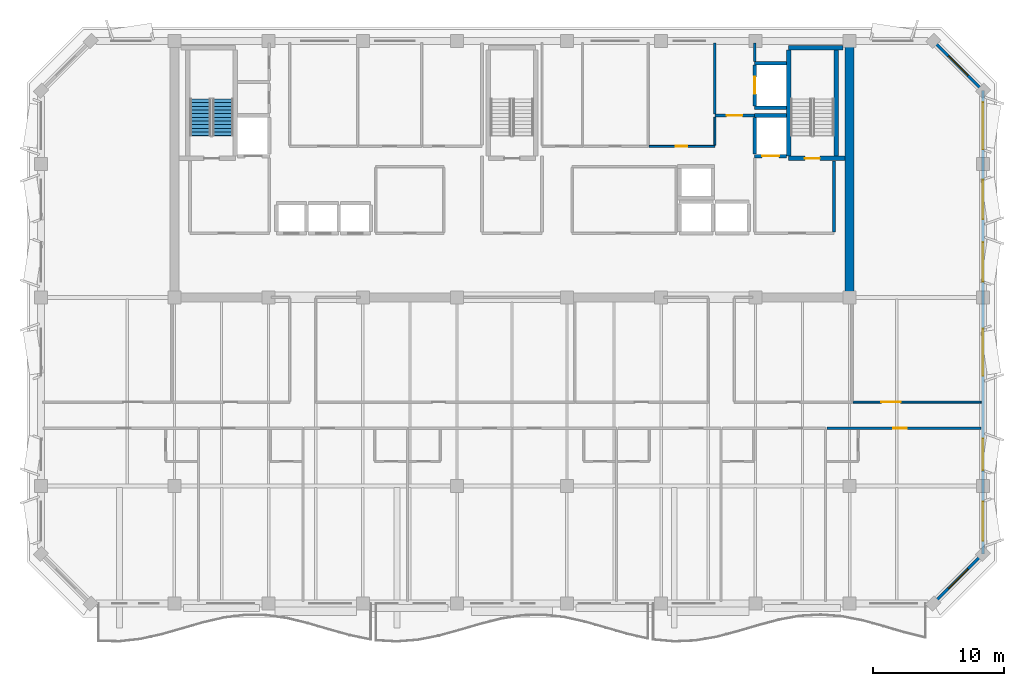
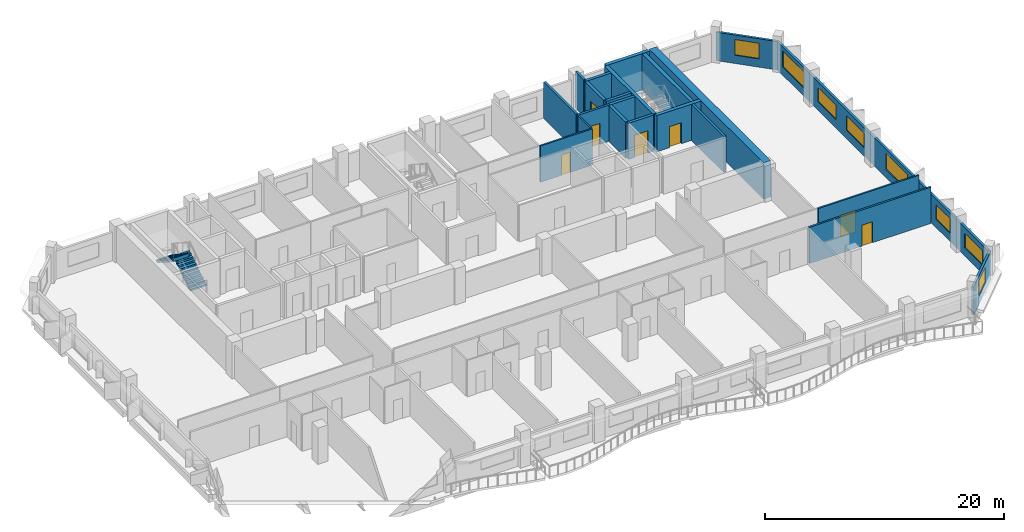
# One storey, part 7 of 11: 22 walls, 8 windows, 7 doors, 2 stair flights, 15 openings, 1 element without a shape of its own.
"""IFC4 building model written with IfcOpenShell, lengths in metres."""

from ifc_helpers import new_model, si_unit, direction, frame, frame_2d, origin, place, context, subcontext, project, spatial, polyline, rectangle, outline, extrude, material, layer, layer_set, type_object, element, fill, aggregate, save


model = new_model("IFC4")

# Units and contexts
model_context = context("Model", 3, precision=1e-05, world=origin(), true_north=direction((0.0, 1.0)))
body_context = subcontext(model_context, "Body", "Model", "MODEL_VIEW")
ifc_project = project(units=[si_unit("LENGTHUNIT", "METRE"), si_unit("AREAUNIT", "SQUARE_METRE"), si_unit("VOLUMEUNIT", "CUBIC_METRE"), si_unit("PLANEANGLEUNIT", "RADIAN"), si_unit("MASSUNIT", "GRAM", prefix="KILO")], contexts=[model_context])

# Site, building, storey
site_placement = place(None, origin())
site = spatial("IfcSite", under=ifc_project, at=site_placement, CompositionType="ELEMENT")
building_placement = place(site_placement, origin())
building = spatial("IfcBuilding", under=site, at=building_placement, Name="Kaelvorn Grand Hotel", CompositionType="ELEMENT")
storey_placement = place(building_placement, frame((0.0, 0.0, 252.85009765625)))
storey = spatial("IfcBuildingStorey", under=building, at=storey_placement, Name="L62", CompositionType="ELEMENT", Elevation=252.85009765625)

# Wall
ifc_material_1 = material(Name="Concrete C50/60", Category="concrete")
ifc_layer_1 = layer(ifc_material_1, 0.699951171875)
ifc_layer_set_1 = layer_set([ifc_layer_1], Name="Concrete C50/60")
wall_type_1 = type_object("IfcWallType", Name="WL-CORE-700-C50", PredefinedType="SHEAR", material=ifc_layer_set_1)
wall_1_placement = place(storey_placement, frame((67.800048828125, 29.39990234375, 0.0), z_axis=(0.0, 0.0, 1.0), x_axis=(0.0, 1.0, 0.0)))
element("IfcWall", 1, at=wall_1_placement, inside=storey, type_object=wall_type_1, Name="L62 Rear-Core East Shear Wall", PredefinedType="SHEAR", context=body_context, shape_type="SweptSolid", body=[
    extrude(rectangle(XDim=19.2001953125, YDim=0.699951171875, at=frame_2d((9.60009765625, 0.0))), origin(), (0.0, 0.0, 1.0), 3.7099609375),
])

# Wall, opening, window
ifc_material_2 = material(Name="Concrete C40/50", Category="concrete")
ifc_layer_2 = layer(ifc_material_2, 0.219970703125)
ifc_layer_set_2 = layer_set([ifc_layer_2], Name="Concrete C40/50")
wall_type_2 = type_object("IfcWallType", Name="WL-EXT-220-C40", PredefinedType="SOLIDWALL", material=ifc_layer_set_2)
wall_2_placement = place(storey_placement, frame((74.199951171875, 6.0, 0.0), z_axis=(0.0, 0.0, 1.0), x_axis=(0.707106781187, 0.707106781187, 0.0)))
wall_2 = element("IfcWall", 2, at=wall_2_placement, inside=storey, type_object=wall_type_2, Name="L62 Exterior Architectural Concrete Wall 02", PredefinedType="SOLIDWALL", context=body_context, shape_type="SweptSolid", body=[
    extrude(rectangle(XDim=5.3740234375, YDim=0.219970703125, at=frame_2d((2.68701171875, 0.0))), origin(), (0.0, 0.0, 1.0), 2.909912109375),
])
opening_1_placement = place(wall_2_placement, frame((1.636962890625, 0.0, 0.85009765625)))
opening_1 = element("IfcOpeningElement", 3, at=opening_1_placement, cuts=wall_2, Name="Opening W7", PredefinedType="OPENING", context=body_context, shape_type="SweptSolid", body=[
    extrude(rectangle(XDim=2.10009765625, YDim=1.60009765625, at=frame_2d((1.050048828125, 0.800048828125))), frame((0.0, 0.1201171875, 0.0), z_axis=(0.0, -1.0, 0.0), x_axis=(1.0, 0.0, 0.0)), (0.0, 0.0, 1.0), 0.239990234375),
])
ifc_material_3 = material(Name="Laminated Low-E Glass", Category="glass")
window_type_1 = type_object("IfcWindowType", Name="WIN-CHM-2100x1600", PartitioningType="SINGLE_PANEL", PredefinedType="WINDOW", material=ifc_material_3)
window_1_placement = place(opening_1_placement, origin())
window_1 = element("IfcWindow", 4, at=window_1_placement, inside=storey, type_object=window_type_1, Name="L62 Chamfered 45-Degree Corner Window SE", OverallHeight=1.60009765625, OverallWidth=2.10009765625, PartitioningType="SINGLE_PANEL", PredefinedType="WINDOW", context=body_context, shape_type="SweptSolid", body=[
    extrude(rectangle(XDim=2.10009765625, YDim=1.60009765625, at=frame_2d((1.050048828125, 0.800048828125))), frame((0.0, 0.030029296875, 0.0), z_axis=(0.0, -1.0, 0.0), x_axis=(1.0, 0.0, 0.0)), (0.0, 0.0, 1.0), 0.06005859375),
])
fill(opening_1, window_1)

# Wall, openings, windows
wall_3_placement = place(storey_placement, frame((78.0, 9.800048828125, 0.0), z_axis=(0.0, 0.0, 1.0), x_axis=(0.0, 1.0, 0.0)))
wall_3 = element("IfcWall", 5, at=wall_3_placement, inside=storey, type_object=wall_type_2, Name="L62 Exterior Architectural Concrete Wall 03", PredefinedType="SOLIDWALL", context=body_context, shape_type="SweptSolid", body=[
    extrude(rectangle(XDim=35.39990234375, YDim=0.219970703125, at=frame_2d((17.699951171875, 0.0))), origin(), (0.0, 0.0, 1.0), 2.909912109375),
])
opening_2_placement = place(wall_3_placement, frame((0.985107421875, 0.0, 0.85009765625)))
opening_2 = element("IfcOpeningElement", 6, at=opening_2_placement, cuts=wall_3, Name="Opening W5", PredefinedType="OPENING", context=body_context, shape_type="SweptSolid", body=[
    extrude(rectangle(XDim=3.0, YDim=1.5, at=frame_2d((1.5, 0.75))), frame((0.0, 0.1201171875, 0.0), z_axis=(0.0, -1.0, 0.0), x_axis=(1.0, 0.0, 0.0)), (0.0, 0.0, 1.0), 0.239990234375),
])
opening_3_placement = place(wall_3_placement, frame((6.39990234375, 0.0, 0.85009765625)))
opening_3 = element("IfcOpeningElement", 7, at=opening_3_placement, cuts=wall_3, Name="Opening W6", PredefinedType="OPENING", context=body_context, shape_type="SweptSolid", body=[
    extrude(rectangle(XDim=2.39990234375, YDim=1.5, at=frame_2d((1.199951171875, 0.75))), frame((0.0, 0.1201171875, 0.0), z_axis=(0.0, -1.0, 0.0), x_axis=(1.0, 0.0, 0.0)), (0.0, 0.0, 1.0), 0.239990234375),
])
opening_4_placement = place(wall_3_placement, frame((13.60009765625, 0.0, 0.85009765625)))
opening_4 = element("IfcOpeningElement", 8, at=opening_4_placement, cuts=wall_3, Name="Opening W3", PredefinedType="OPENING", context=body_context, shape_type="SweptSolid", body=[
    extrude(rectangle(XDim=3.60009765625, YDim=1.64990234375, at=frame_2d((1.800048828125, 0.824951171875))), frame((0.0, 0.1201171875, 0.0), z_axis=(0.0, -1.0, 0.0), x_axis=(1.0, 0.0, 0.0)), (0.0, 0.0, 1.0), 0.239990234375),
])
opening_5_placement = place(wall_3_placement, frame((20.81494140625, 0.0, 0.85009765625)))
opening_5 = element("IfcOpeningElement", 9, at=opening_5_placement, cuts=wall_3, Name="Opening W5", PredefinedType="OPENING", context=body_context, shape_type="SweptSolid", body=[
    extrude(rectangle(XDim=3.0, YDim=1.5, at=frame_2d((1.5, 0.75))), frame((0.0, 0.1201171875, 0.0), z_axis=(0.0, -1.0, 0.0), x_axis=(1.0, 0.0, 0.0)), (0.0, 0.0, 1.0), 0.239990234375),
])
opening_6_placement = place(wall_3_placement, frame((25.5849609375, 0.0, 0.85009765625)))
opening_6 = element("IfcOpeningElement", 10, at=opening_6_placement, cuts=wall_3, Name="Opening W5", PredefinedType="OPENING", context=body_context, shape_type="SweptSolid", body=[
    extrude(rectangle(XDim=3.0, YDim=1.5, at=frame_2d((1.5, 0.75))), frame((0.0, 0.1201171875, 0.0), z_axis=(0.0, -1.0, 0.0), x_axis=(1.0, 0.0, 0.0)), (0.0, 0.0, 1.0), 0.239990234375),
])
opening_7_placement = place(wall_3_placement, frame((30.9150390625, 0.0, 0.85009765625)))
opening_7 = element("IfcOpeningElement", 11, at=opening_7_placement, cuts=wall_3, Name="Opening W3", PredefinedType="OPENING", context=body_context, shape_type="SweptSolid", body=[
    extrude(rectangle(XDim=3.60009765625, YDim=1.64990234375, at=frame_2d((1.800048828125, 0.824951171875))), frame((0.0, 0.1201171875, 0.0), z_axis=(0.0, -1.0, 0.0), x_axis=(1.0, 0.0, 0.0)), (0.0, 0.0, 1.0), 0.239990234375),
])
window_type_2 = type_object("IfcWindowType", Name="WIN-NTH-2400x1500", PartitioningType="SINGLE_PANEL", PredefinedType="WINDOW", material=ifc_material_3)
window_2_placement = place(opening_3_placement, origin())
window_2 = element("IfcWindow", 12, at=window_2_placement, inside=storey, type_object=window_type_2, Name="L62 E Wing Tilted-Frame Ribbon Window E02", OverallHeight=1.5, OverallWidth=2.39990234375, PartitioningType="SINGLE_PANEL", PredefinedType="WINDOW", context=body_context, shape_type="SweptSolid", body=[
    extrude(rectangle(XDim=2.39990234375, YDim=1.5, at=frame_2d((1.199951171875, 0.75))), frame((0.0, 0.030029296875, 0.0), z_axis=(0.0, -1.0, 0.0), x_axis=(1.0, 0.0, 0.0)), (0.0, 0.0, 1.0), 0.06005859375),
])
fill(opening_3, window_2)
window_type_3 = type_object("IfcWindowType", Name="WIN-NTH-3000x1500", PartitioningType="SINGLE_PANEL", PredefinedType="WINDOW", material=ifc_material_3)
window_3_placement = place(opening_2_placement, origin())
window_3 = element("IfcWindow", 13, at=window_3_placement, inside=storey, type_object=window_type_3, Name="L62 E Wing Tilted-Frame Ribbon Window E01", OverallHeight=1.5, OverallWidth=3.0, PartitioningType="SINGLE_PANEL", PredefinedType="WINDOW", context=body_context, shape_type="SweptSolid", body=[
    extrude(rectangle(XDim=3.0, YDim=1.5, at=frame_2d((1.5, 0.75))), frame((0.0, 0.030029296875, 0.0), z_axis=(0.0, -1.0, 0.0), x_axis=(1.0, 0.0, 0.0)), (0.0, 0.0, 1.0), 0.06005859375),
])
fill(opening_2, window_3)
window_4_placement = place(opening_5_placement, origin())
window_4 = element("IfcWindow", 14, at=window_4_placement, inside=storey, type_object=window_type_3, Name="L62 E Wing Tilted-Frame Ribbon Window E04", OverallHeight=1.5, OverallWidth=3.0, PartitioningType="SINGLE_PANEL", PredefinedType="WINDOW", context=body_context, shape_type="SweptSolid", body=[
    extrude(rectangle(XDim=3.0, YDim=1.5, at=frame_2d((1.5, 0.75))), frame((0.0, 0.030029296875, 0.0), z_axis=(0.0, -1.0, 0.0), x_axis=(1.0, 0.0, 0.0)), (0.0, 0.0, 1.0), 0.06005859375),
])
fill(opening_5, window_4)
window_5_placement = place(opening_6_placement, origin())
window_5 = element("IfcWindow", 15, at=window_5_placement, inside=storey, type_object=window_type_3, Name="L62 E Wing Tilted-Frame Ribbon Window E05", OverallHeight=1.5, OverallWidth=3.0, PartitioningType="SINGLE_PANEL", PredefinedType="WINDOW", context=body_context, shape_type="SweptSolid", body=[
    extrude(rectangle(XDim=3.0, YDim=1.5, at=frame_2d((1.5, 0.75))), frame((0.0, 0.030029296875, 0.0), z_axis=(0.0, -1.0, 0.0), x_axis=(1.0, 0.0, 0.0)), (0.0, 0.0, 1.0), 0.06005859375),
])
fill(opening_6, window_5)
window_type_4 = type_object("IfcWindowType", Name="WIN-RIB-3600x1750", PartitioningType="SINGLE_PANEL", PredefinedType="WINDOW", material=ifc_material_3)
window_6_placement = place(opening_4_placement, origin())
window_6 = element("IfcWindow", 16, at=window_6_placement, inside=storey, type_object=window_type_4, Name="L62 E Wing Tilted-Frame Ribbon Window E03", OverallHeight=1.64990234375, OverallWidth=3.60009765625, PartitioningType="SINGLE_PANEL", PredefinedType="WINDOW", context=body_context, shape_type="SweptSolid", body=[
    extrude(rectangle(XDim=3.60009765625, YDim=1.64990234375, at=frame_2d((1.800048828125, 0.824951171875))), frame((0.0, 0.030029296875, 0.0), z_axis=(0.0, -1.0, 0.0), x_axis=(1.0, 0.0, 0.0)), (0.0, 0.0, 1.0), 0.06005859375),
])
fill(opening_4, window_6)
window_7_placement = place(opening_7_placement, origin())
window_7 = element("IfcWindow", 17, at=window_7_placement, inside=storey, type_object=window_type_4, Name="L62 E Wing Tilted-Frame Ribbon Window E06", OverallHeight=1.64990234375, OverallWidth=3.60009765625, PartitioningType="SINGLE_PANEL", PredefinedType="WINDOW", context=body_context, shape_type="SweptSolid", body=[
    extrude(rectangle(XDim=3.60009765625, YDim=1.64990234375, at=frame_2d((1.800048828125, 0.824951171875))), frame((0.0, 0.030029296875, 0.0), z_axis=(0.0, -1.0, 0.0), x_axis=(1.0, 0.0, 0.0)), (0.0, 0.0, 1.0), 0.06005859375),
])
fill(opening_7, window_7)

# Wall, opening, window
wall_4_placement = place(storey_placement, frame((78.0, 45.199951171875, 0.0), z_axis=(0.0, 0.0, 1.0), x_axis=(-0.707106781187, 0.707106781187, 0.0)))
wall_4 = element("IfcWall", 18, at=wall_4_placement, inside=storey, type_object=wall_type_2, Name="L62 Exterior Architectural Concrete Wall 04", PredefinedType="SOLIDWALL", context=body_context, shape_type="SweptSolid", body=[
    extrude(rectangle(XDim=5.3740234375, YDim=0.219970703125, at=frame_2d((2.68701171875, 0.0))), origin(), (0.0, 0.0, 1.0), 2.909912109375),
])
opening_8_placement = place(wall_4_placement, frame((1.636962890625, 0.0, 0.85009765625)))
opening_8 = element("IfcOpeningElement", 19, at=opening_8_placement, cuts=wall_4, Name="Opening W7", PredefinedType="OPENING", context=body_context, shape_type="SweptSolid", body=[
    extrude(rectangle(XDim=2.10009765625, YDim=1.60009765625, at=frame_2d((1.050048828125, 0.800048828125))), frame((0.0, 0.1201171875, 0.0), z_axis=(0.0, -1.0, 0.0), x_axis=(1.0, 0.0, 0.0)), (0.0, 0.0, 1.0), 0.239990234375),
])
window_8_placement = place(opening_8_placement, origin())
window_8 = element("IfcWindow", 20, at=window_8_placement, inside=storey, type_object=window_type_1, Name="L62 Chamfered 45-Degree Corner Window NE", OverallHeight=1.60009765625, OverallWidth=2.10009765625, PartitioningType="SINGLE_PANEL", PredefinedType="WINDOW", context=body_context, shape_type="SweptSolid", body=[
    extrude(rectangle(XDim=2.10009765625, YDim=1.60009765625, at=frame_2d((1.050048828125, 0.800048828125))), frame((0.0, 0.030029296875, 0.0), z_axis=(0.0, -1.0, 0.0), x_axis=(1.0, 0.0, 0.0)), (0.0, 0.0, 1.0), 0.06005859375),
])
fill(opening_8, window_8)

# Wall, opening, door
ifc_material_4 = material(Name="Acoustic Gypsum & Stud Partition")
ifc_layer_3 = layer(ifc_material_4, 0.14990234375)
ifc_layer_set_3 = layer_set([ifc_layer_3], Name="Acoustic Gypsum & Stud Partition")
wall_type_3 = type_object("IfcWallType", Name="WL-PART-150-EI60", PredefinedType="PARTITIONING", material=ifc_layer_set_3)
wall_5_placement = place(storey_placement, frame((52.47998046875, 40.949951171875, 0.0), z_axis=(0.0, 0.0, 1.0), x_axis=(1.0, 0.0, 0.0)))
wall_5 = element("IfcWall", 21, at=wall_5_placement, inside=storey, type_object=wall_type_3, Name="L62 Clean Utility & Amenity Store S Partition", PredefinedType="PARTITIONING", context=body_context, shape_type="SweptSolid", body=[
    extrude(rectangle(XDim=5.02001953125, YDim=0.14990234375, at=frame_2d((2.510009765625, 0.0))), origin(), (0.0, 0.0, 1.0), 3.7099609375),
])
opening_9_placement = place(wall_5_placement, frame((2.044921875, 0.0, 0.0)))
opening_9 = element("IfcOpeningElement", 22, at=opening_9_placement, cuts=wall_5, Name="Opening DI7", PredefinedType="OPENING", context=body_context, shape_type="SweptSolid", body=[
    extrude(rectangle(XDim=0.85009765625, YDim=2.10009765625, at=frame_2d((0.425048828125, 1.050048828125))), frame((0.0, 0.0849609375, 0.0), z_axis=(0.0, -1.0, 0.0), x_axis=(1.0, 0.0, 0.0)), (0.0, 0.0, 1.0), 0.169921875),
])
ifc_material_5 = material(Name="Powder-Coated Steel Leaf", Category="steel")
door_type_1 = type_object("IfcDoorType", Name="DR-INT-RISER-850x2100", OperationType="NOTDEFINED", PredefinedType="DOOR", material=ifc_material_5)
door_1_placement = place(opening_9_placement, origin())
door_1 = element("IfcDoor", 23, at=door_1_placement, inside=storey, type_object=door_type_1, Name="L62 Clean Utility & Amenity Store Door", OperationType="SINGLE_SWING_RIGHT", OverallHeight=2.10009765625, OverallWidth=0.85009765625, PredefinedType="DOOR", context=body_context, shape_type="SweptSolid", body=[
    extrude(rectangle(XDim=0.85009765625, YDim=2.10009765625, at=frame_2d((0.425048828125, 1.050048828125))), frame((0.0, 0.02490234375, 0.0), z_axis=(0.0, -1.0, 0.0), x_axis=(1.0, 0.0, 0.0)), (0.0, 0.0, 1.0), 0.050048828125),
])
fill(opening_9, door_1)

# Wall
wall_6_placement = place(storey_placement, frame((57.5, 41.030029296875, 0.0), z_axis=(0.0, 0.0, 1.0), x_axis=(0.0, 1.0, 0.0)))
element("IfcWall", 24, at=wall_6_placement, inside=storey, type_object=wall_type_3, Name="L62 Clean Utility & Amenity Store E Partition", PredefinedType="PARTITIONING", context=body_context, shape_type="SweptSolid", body=[
    extrude(rectangle(XDim=2.155029296875, YDim=0.14990234375, at=frame_2d((1.07763671875, 0.0))), origin(), (0.0, 0.0, 1.0), 3.7099609375),
])

# Wall, opening, door
wall_7_placement = place(storey_placement, frame((68.080078125, 21.39990234375, 0.0), z_axis=(0.0, 0.0, 1.0), x_axis=(1.0, 0.0, 0.0)))
wall_7 = element("IfcWall", 25, at=wall_7_placement, inside=storey, type_object=wall_type_3, Name="L62 East Sky Private Dining Restaurant S Partition", PredefinedType="PARTITIONING", context=body_context, shape_type="SweptSolid", body=[
    extrude(rectangle(XDim=9.77001953125, YDim=0.14990234375, at=frame_2d((4.885009765625, 0.0))), origin(), (0.0, 0.0, 1.0), 3.7099609375),
])
opening_10_placement = place(wall_7_placement, frame((2.139892578125, 0.0, 0.0)))
opening_10 = element("IfcOpeningElement", 26, at=opening_10_placement, cuts=wall_7, Name="Opening DI5", PredefinedType="OPENING", context=body_context, shape_type="SweptSolid", body=[
    extrude(rectangle(XDim=1.5, YDim=2.25, at=frame_2d((0.75, 1.125))), frame((0.0, 0.0849609375, 0.0), z_axis=(0.0, -1.0, 0.0), x_axis=(1.0, 0.0, 0.0)), (0.0, 0.0, 1.0), 0.169921875),
])
ifc_material_6 = material(Name="Timber Veneer Fire Leaf", Category="wood")
door_type_2 = type_object("IfcDoorType", Name="DR-INT-SALON-1500x2250", OperationType="DOUBLE_DOOR_SINGLE_SWING", PredefinedType="DOOR", material=ifc_material_6)
door_2_placement = place(opening_10_placement, origin())
door_2 = element("IfcDoor", 27, at=door_2_placement, inside=storey, type_object=door_type_2, Name="L62 East Sky Private Dining Restaurant Door", OperationType="DOUBLE_DOOR_SINGLE_SWING", OverallHeight=2.25, OverallWidth=1.5, PredefinedType="DOOR", context=body_context, shape_type="SweptSolid", body=[
    extrude(rectangle(XDim=1.5, YDim=2.25, at=frame_2d((0.75, 1.125))), frame((0.0, 0.02490234375, 0.0), z_axis=(0.0, -1.0, 0.0), x_axis=(1.0, 0.0, 0.0)), (0.0, 0.0, 1.0), 0.050048828125),
])
fill(opening_10, door_2)

ifc_layer_4 = layer(ifc_material_4, 0.179931640625)
ifc_layer_set_4 = layer_set([ifc_layer_4], Name="Acoustic Gypsum & Stud Partition")
wall_type_4 = type_object("IfcWallType", Name="WL-PART-180-EI60", PredefinedType="PARTITIONING", material=ifc_layer_set_4)
wall_8_placement = place(storey_placement, frame((66.0576171875, 19.39990234375, 0.0), z_axis=(0.0, 0.0, 1.0), x_axis=(1.0, 0.0, 0.0)))
wall_8 = element("IfcWall", 28, at=wall_8_placement, inside=storey, type_object=wall_type_4, Name="L62 Ambassador Junior Suite L62-08 N Partition", PredefinedType="PARTITIONING", context=body_context, shape_type="SweptSolid", body=[
    extrude(rectangle(XDim=11.79248046875, YDim=0.179931640625, at=frame_2d((5.896240234375, 0.0))), origin(), (0.0, 0.0, 1.0), 3.7099609375),
])
opening_11_placement = place(wall_8_placement, frame((5.0986328125, 0.0, 0.0)))
opening_11 = element("IfcOpeningElement", 29, at=opening_11_placement, cuts=wall_8, Name="Opening DI3", PredefinedType="OPENING", context=body_context, shape_type="SweptSolid", body=[
    extrude(rectangle(XDim=1.0, YDim=2.14990234375, at=frame_2d((0.5, 1.074951171875))), frame((0.0, 0.10009765625, 0.0), z_axis=(0.0, -1.0, 0.0), x_axis=(1.0, 0.0, 0.0)), (0.0, 0.0, 1.0), 0.199951171875),
])
door_type_3 = type_object("IfcDoorType", Name="DR-INT-GUEST-1000x2150", OperationType="NOTDEFINED", PredefinedType="DOOR", material=ifc_material_6)
door_3_placement = place(opening_11_placement, origin())
door_3 = element("IfcDoor", 30, at=door_3_placement, inside=storey, type_object=door_type_3, Name="L62 Ambassador Junior Suite L62-08 Door", OperationType="SINGLE_SWING_LEFT", OverallHeight=2.14990234375, OverallWidth=1.0, PredefinedType="DOOR", context=body_context, shape_type="SweptSolid", body=[
    extrude(rectangle(XDim=1.0, YDim=2.14990234375, at=frame_2d((0.5, 1.074951171875))), frame((0.0, 0.02490234375, 0.0), z_axis=(0.0, -1.0, 0.0), x_axis=(1.0, 0.0, 0.0)), (0.0, 0.0, 1.0), 0.050048828125),
])
fill(opening_11, door_3)

# Wall
ifc_layer_5 = layer(ifc_material_2, 0.219970703125)
ifc_layer_set_5 = layer_set([ifc_layer_5], Name="Concrete C40/50")
wall_type_5 = type_object("IfcWallType", Name="WL-PART-220-EI120", PredefinedType="PARTITIONING", material=ifc_layer_set_5)
wall_9_placement = place(storey_placement, frame((66.60009765625, 34.4150390625, 0.0), z_axis=(0.0, 0.0, 1.0), x_axis=(0.0, 1.0, 0.0)))
element("IfcWall", 31, at=wall_9_placement, inside=storey, type_object=wall_type_5, Name="L62 Firefighting Lift Lobby 2 E Partition", PredefinedType="PARTITIONING", context=body_context, shape_type="SweptSolid", body=[
    extrude(rectangle(XDim=5.429931640625, YDim=0.219970703125, at=frame_2d((2.71484375, 0.0))), origin(), (0.0, 0.0, 1.0), 3.7099609375),
])

# Wall, opening, door
wall_10_placement = place(storey_placement, frame((57.5, 43.300048828125, 0.0), z_axis=(0.0, 0.0, 1.0), x_axis=(1.0, 0.0, 0.0)))
wall_10 = element("IfcWall", 32, at=wall_10_placement, inside=storey, type_object=wall_type_5, Name="L62 Service Lift Lobby S Partition", PredefinedType="PARTITIONING", context=body_context, shape_type="SweptSolid", body=[
    extrude(rectangle(XDim=3.0400390625, YDim=0.219970703125, at=frame_2d((1.52001953125, 0.0))), origin(), (0.0, 0.0, 1.0), 3.7099609375),
])
opening_12_placement = place(wall_10_placement, frame((0.89990234375, 0.0, 0.0)))
opening_12 = element("IfcOpeningElement", 33, at=opening_12_placement, cuts=wall_10, Name="Opening DI2", PredefinedType="OPENING", context=body_context, shape_type="SweptSolid", body=[
    extrude(rectangle(XDim=1.199951171875, YDim=2.14990234375, at=frame_2d((0.60009765625, 1.074951171875))), frame((0.0, 0.1201171875, 0.0), z_axis=(0.0, -1.0, 0.0), x_axis=(1.0, 0.0, 0.0)), (0.0, 0.0, 1.0), 0.239990234375),
])
door_type_4 = type_object("IfcDoorType", Name="DR-INT-FFLOB-1200x2150", OperationType="NOTDEFINED", PredefinedType="DOOR", material=ifc_material_6)
door_4_placement = place(opening_12_placement, origin())
door_4 = element("IfcDoor", 34, at=door_4_placement, inside=storey, type_object=door_type_4, Name="L62 Service Lift Lobby Door", OperationType="SINGLE_SWING_RIGHT", OverallHeight=2.14990234375, OverallWidth=1.199951171875, PredefinedType="DOOR", context=body_context, shape_type="SweptSolid", body=[
    extrude(rectangle(XDim=1.199951171875, YDim=2.14990234375, at=frame_2d((0.60009765625, 1.074951171875))), frame((0.0, 0.02490234375, 0.0), z_axis=(0.0, -1.0, 0.0), x_axis=(1.0, 0.0, 0.0)), (0.0, 0.0, 1.0), 0.050048828125),
])
fill(opening_12, door_4)

# Walls
wall_11_placement = place(storey_placement, frame((57.5, 43.4150390625, 0.0), z_axis=(0.0, 0.0, 1.0), x_axis=(0.0, 1.0, 0.0)))
element("IfcWall", 35, at=wall_11_placement, inside=storey, type_object=wall_type_5, Name="L62 Service Lift Lobby W Partition", PredefinedType="PARTITIONING", context=body_context, shape_type="SweptSolid", body=[
    extrude(rectangle(XDim=5.43505859375, YDim=0.219970703125, at=frame_2d((2.717529296875, 0.0))), origin(), (0.0, 0.0, 1.0), 3.7099609375),
])
wall_12_placement = place(storey_placement, frame((60.550048828125, 47.445068359375, 0.0), z_axis=(0.0, 0.0, 1.0), x_axis=(0.0, 1.0, 0.0)))
element("IfcWall", 36, at=wall_12_placement, inside=storey, type_object=wall_type_5, Name="L62 Service Lift Lobby E Partition", PredefinedType="PARTITIONING", context=body_context, shape_type="SweptSolid", body=[
    extrude(rectangle(XDim=1.405029296875, YDim=0.219970703125, at=frame_2d((0.70263671875, 0.0))), origin(), (0.0, 0.0, 1.0), 3.7099609375),
])

# Wall, opening, door
ifc_layer_6 = layer(ifc_material_1, 0.280029296875)
ifc_layer_set_6 = layer_set([ifc_layer_6], Name="Concrete C50/60")
wall_type_6 = type_object("IfcWallType", Name="WL-SHAFT-280-C50", PredefinedType="SHEAR", material=ifc_layer_set_6)
wall_13_placement = place(storey_placement, frame((60.550048828125, 40.199951171875, 0.0), z_axis=(0.0, 0.0, 1.0), x_axis=(1.0, 0.0, 0.0)))
wall_13 = element("IfcWall", 37, at=wall_13_placement, inside=storey, type_object=wall_type_6, Name="L62 Lift FFL2 Shaft South Wall", PredefinedType="SHEAR", context=body_context, shape_type="SweptSolid", body=[
    extrude(rectangle(XDim=2.4150390625, YDim=0.280029296875, at=frame_2d((1.20751953125, 0.0))), origin(), (0.0, 0.0, 1.0), 3.7099609375),
])
opening_13_placement = place(wall_13_placement, frame((0.574951171875, 0.0, 0.0)))
opening_13 = element("IfcOpeningElement", 38, at=opening_13_placement, cuts=wall_13, Name="Opening LD-FFL2", PredefinedType="OPENING", context=body_context, shape_type="SweptSolid", body=[
    extrude(rectangle(XDim=1.300048828125, YDim=2.300048828125, at=frame_2d((0.64990234375, 1.14990234375))), frame((0.0, 0.14990234375, 0.0), z_axis=(0.0, -1.0, 0.0), x_axis=(1.0, 0.0, 0.0)), (0.0, 0.0, 1.0), 0.300048828125),
])
ifc_material_7 = material(Name="Stainless Steel", Category="steel")
door_type_5 = type_object("IfcDoorType", Name="DR-LIFT-SERV-1300x2300", OperationType="DOUBLE_DOOR_SLIDING", PredefinedType="DOOR", material=ifc_material_7)
door_5_placement = place(opening_13_placement, origin())
door_5 = element("IfcDoor", 39, at=door_5_placement, inside=storey, type_object=door_type_5, Name="L62 Lift FFL2 Sliding Landing Door LD-FFL2", OperationType="DOUBLE_DOOR_SLIDING", OverallHeight=2.300048828125, OverallWidth=1.300048828125, PredefinedType="DOOR", context=body_context, shape_type="SweptSolid", body=[
    extrude(rectangle(XDim=1.300048828125, YDim=2.300048828125, at=frame_2d((0.64990234375, 1.14990234375))), frame((0.0, 0.02490234375, 0.0), z_axis=(0.0, -1.0, 0.0), x_axis=(1.0, 0.0, 0.0)), (0.0, 0.0, 1.0), 0.050048828125),
])
fill(opening_13, door_5)

# Walls
wall_14_placement = place(storey_placement, frame((60.550048828125, 43.300048828125, 0.0), z_axis=(0.0, 0.0, 1.0), x_axis=(1.0, 0.0, 0.0)))
element("IfcWall", 40, at=wall_14_placement, inside=storey, type_object=wall_type_6, Name="L62 Lift FFL2 Shaft North Wall", PredefinedType="SHEAR", context=body_context, shape_type="SweptSolid", body=[
    extrude(rectangle(XDim=2.4150390625, YDim=0.280029296875, at=frame_2d((1.20751953125, 0.0))), origin(), (0.0, 0.0, 1.0), 3.7099609375),
])
wall_15_placement = place(storey_placement, frame((60.550048828125, 40.344970703125, 0.0), z_axis=(0.0, 0.0, 1.0), x_axis=(0.0, 1.0, 0.0)))
element("IfcWall", 41, at=wall_15_placement, inside=storey, type_object=wall_type_6, Name="L62 Lift FFL2 Shaft West Wall", PredefinedType="SHEAR", context=body_context, shape_type="SweptSolid", body=[
    extrude(rectangle(XDim=2.81005859375, YDim=0.280029296875, at=frame_2d((1.405029296875, 0.0))), origin(), (0.0, 0.0, 1.0), 3.7099609375),
])
for number, where, z_axis, x_axis, name in (
    (42, (60.550048828125, 43.89990234375, 0.0), (0.0, 0.0, 1.0), (1.0, 0.0, 0.0), "L62 Lift SV1 Shaft South Wall"),
    (43, (60.550048828125, 47.300048828125, 0.0), (0.0, 0.0, 1.0), (1.0, 0.0, 0.0), "L62 Lift SV1 Shaft North Wall"),
):
    element("IfcWall", number, at=place(storey_placement, frame(where, z_axis=z_axis, x_axis=x_axis)), inside=storey, type_object=wall_type_6, Name=name, PredefinedType="SHEAR", context=body_context, shape_type="SweptSolid", body=[
        extrude(rectangle(XDim=2.4150390625, YDim=0.280029296875, at=frame_2d((1.20751953125, 0.0))), origin(), (0.0, 0.0, 1.0), 3.7099609375),
    ])

# Wall, opening, door
wall_16_placement = place(storey_placement, frame((60.550048828125, 44.044921875, 0.0), z_axis=(0.0, 0.0, 1.0), x_axis=(0.0, 1.0, 0.0)))
wall_16 = element("IfcWall", 44, at=wall_16_placement, inside=storey, type_object=wall_type_6, Name="L62 Lift SV1 Shaft West Wall", PredefinedType="SHEAR", context=body_context, shape_type="SweptSolid", body=[
    extrude(rectangle(XDim=3.110107421875, YDim=0.280029296875, at=frame_2d((1.55517578125, 0.0))), origin(), (0.0, 0.0, 1.0), 3.7099609375),
])
opening_14_placement = place(wall_16_placement, frame((0.905029296875, 0.0, 0.0)))
opening_14 = element("IfcOpeningElement", 45, at=opening_14_placement, cuts=wall_16, Name="Opening LD-SV1", PredefinedType="OPENING", context=body_context, shape_type="SweptSolid", body=[
    extrude(rectangle(XDim=1.300048828125, YDim=2.300048828125, at=frame_2d((0.64990234375, 1.14990234375))), frame((0.0, 0.14990234375, 0.0), z_axis=(0.0, -1.0, 0.0), x_axis=(1.0, 0.0, 0.0)), (0.0, 0.0, 1.0), 0.300048828125),
])
door_6_placement = place(opening_14_placement, origin())
door_6 = element("IfcDoor", 46, at=door_6_placement, inside=storey, type_object=door_type_5, Name="L62 Lift SV1 Sliding Landing Door LD-SV1", OperationType="DOUBLE_DOOR_SLIDING", OverallHeight=2.300048828125, OverallWidth=1.300048828125, PredefinedType="DOOR", context=body_context, shape_type="SweptSolid", body=[
    extrude(rectangle(XDim=1.300048828125, YDim=2.300048828125, at=frame_2d((0.64990234375, 1.14990234375))), frame((0.0, 0.02490234375, 0.0), z_axis=(0.0, -1.0, 0.0), x_axis=(1.0, 0.0, 0.0)), (0.0, 0.0, 1.0), 0.050048828125),
])
fill(opening_14, door_6)

ifc_material_8 = material(Name="Concrete C60/75", Category="concrete")
ifc_layer_7 = layer(ifc_material_8, 0.35009765625)
ifc_layer_set_7 = layer_set([ifc_layer_7], Name="Concrete C60/75")
wall_type_7 = type_object("IfcWallType", Name="WL-SHAFT-350-C60", PredefinedType="SHEAR", material=ifc_layer_set_7)
wall_17_placement = place(storey_placement, frame((63.14501953125, 40.02490234375, 0.0), z_axis=(0.0, 0.0, 1.0), x_axis=(1.0, 0.0, 0.0)))
wall_17 = element("IfcWall", 47, at=wall_17_placement, inside=storey, type_object=wall_type_7, Name="L62 ST3 Stair Shaft South Wall", PredefinedType="SHEAR", context=body_context, shape_type="SweptSolid", body=[
    extrude(rectangle(XDim=4.300048828125, YDim=0.35009765625, at=frame_2d((2.14990234375, 0.0))), origin(), (0.0, 0.0, 1.0), 3.7099609375),
])
opening_15_placement = place(wall_17_placement, frame((1.239990234375, 0.0, 0.0)))
opening_15 = element("IfcOpeningElement", 48, at=opening_15_placement, cuts=wall_17, Name="Opening DI1", PredefinedType="OPENING", context=body_context, shape_type="SweptSolid", body=[
    extrude(rectangle(XDim=1.14990234375, YDim=2.14990234375, at=frame_2d((0.574951171875, 1.074951171875))), frame((0.0, 0.18505859375, 0.0), z_axis=(0.0, -1.0, 0.0), x_axis=(1.0, 0.0, 0.0)), (0.0, 0.0, 1.0), 0.3701171875),
])
door_type_6 = type_object("IfcDoorType", Name="DR-INT-STAIR-1150x2150", OperationType="NOTDEFINED", PredefinedType="DOOR", material=ifc_material_6)
door_7_placement = place(opening_15_placement, origin())
door_7 = element("IfcDoor", 49, at=door_7_placement, inside=storey, type_object=door_type_6, Name="L62 ST3 Exit Stair Fire Door", OperationType="SINGLE_SWING_RIGHT", OverallHeight=2.14990234375, OverallWidth=1.14990234375, PredefinedType="DOOR", context=body_context, shape_type="SweptSolid", body=[
    extrude(rectangle(XDim=1.14990234375, YDim=2.14990234375, at=frame_2d((0.574951171875, 1.074951171875))), frame((0.0, 0.02490234375, 0.0), z_axis=(0.0, -1.0, 0.0), x_axis=(1.0, 0.0, 0.0)), (0.0, 0.0, 1.0), 0.050048828125),
])
fill(opening_15, door_7)

# Walls
wall_18_placement = place(storey_placement, frame((63.14501953125, 48.47509765625, 0.0), z_axis=(0.0, 0.0, 1.0), x_axis=(1.0, 0.0, 0.0)))
element("IfcWall", 50, at=wall_18_placement, inside=storey, type_object=wall_type_7, Name="L62 ST3 Stair Shaft North Wall", PredefinedType="SHEAR", context=body_context, shape_type="SweptSolid", body=[
    extrude(rectangle(XDim=4.14990234375, YDim=0.35009765625, at=frame_2d((2.074951171875, 0.0))), origin(), (0.0, 0.0, 1.0), 3.7099609375),
])
for number, where, z_axis, x_axis, name in (
    (51, (63.14501953125, 40.205078125, 0.0), (0.0, 0.0, 1.0), (0.0, 1.0, 0.0), "L62 ST3 Stair Shaft West Wall"),
    (52, (66.77490234375, 40.205078125, 0.0), (0.0, 0.0, 1.0), (0.0, 1.0, 0.0), "L62 ST3 Stair Shaft East Wall"),
):
    element("IfcWall", number, at=place(storey_placement, frame(where, z_axis=z_axis, x_axis=x_axis)), inside=storey, type_object=wall_type_7, Name=name, PredefinedType="SHEAR", context=body_context, shape_type="SweptSolid", body=[
        extrude(rectangle(XDim=8.08984375, YDim=0.35009765625, at=frame_2d((4.044921875, 0.0))), origin(), (0.0, 0.0, 1.0), 3.7099609375),
    ])

# Stair, stair flights
stair_type = type_object("IfcStairType", Name="STR-DOG-1560-R09", PredefinedType="HALF_TURN_STAIR", material=ifc_material_2)
stair_placement = place(storey_placement, origin())
stair = element("IfcStair", 53, at=stair_placement, inside=storey, type_object=stair_type, Name="L62 West Core Exit Stair ST1", PredefinedType="HALF_TURN_STAIR")
stair_flight_type = type_object("IfcStairFlightType", Name="FLG-DOG-1560-R09", PredefinedType="STRAIGHT", material=ifc_material_2)
stair_flight_1_placement = place(storey_placement, frame((19.89990234375, 41.760009765625, 0.0), z_axis=(0.0, 0.0, 1.0), x_axis=(0.0, 1.0, 0.0)))
stair_flight_1 = element("IfcStairFlight", 54, at=stair_flight_1_placement, type_object=stair_flight_type, Name="ST1 flight 1", NumberOfRisers=11, NumberOfTreads=10, PredefinedType="STRAIGHT", RiserHeight=0.179545455, TreadLength=0.28, context=body_context, shape_type="SweptSolid", body=[
    extrude(outline(polyline([(-0.0048828125, 0.0), (-0.0048828125, 0.0400390625), (0.0, 0.179443359375), (0.280029296875, 0.179443359375), (0.280029296875, 0.359130859375), (0.56005859375, 0.359130859375), (0.56005859375, 0.53857421875), (0.840087890625, 0.53857421875), (0.840087890625, 0.71826171875), (1.1201171875, 0.71826171875), (1.1201171875, 0.897705078125), (1.39990234375, 0.897705078125), (1.39990234375, 1.077392578125), (1.679931640625, 1.077392578125), (1.679931640625, 1.2568359375), (1.9599609375, 1.2568359375), (1.9599609375, 1.436279296875), (2.239990234375, 1.436279296875), (2.239990234375, 1.615966796875), (2.52001953125, 1.615966796875), (2.52001953125, 1.79541015625), (2.800048828125, 1.79541015625), (2.800048828125, 1.97509765625), (2.804931640625, 1.97509765625), (2.804931640625, 1.617431640625), (0.277587890625, 0.0), (-0.0048828125, 0.0)])), frame((0.0, 0.780029296875, 0.0), z_axis=(0.0, -1.0, 0.0), x_axis=(1.0, 0.0, 0.0)), (0.0, 0.0, 1.0), 1.56005859375),
])
stair_flight_2_placement = place(storey_placement, frame((18.179931640625, 44.56005859375, 1.974853515625), z_axis=(0.0, 0.0, 1.0), x_axis=(0.0, -1.0, 0.0)))
stair_flight_2 = element("IfcStairFlight", 55, at=stair_flight_2_placement, type_object=stair_flight_type, Name="ST1 flight 2", NumberOfRisers=11, NumberOfTreads=10, PredefinedType="STRAIGHT", RiserHeight=0.179545455, TreadLength=0.28, context=body_context, shape_type="SweptSolid", body=[
    extrude(outline(polyline([(-0.0048828125, 0.0), (-0.0048828125, 0.0400390625), (0.0, 0.179443359375), (0.280029296875, 0.179443359375), (0.280029296875, 0.359130859375), (0.56005859375, 0.359130859375), (0.56005859375, 0.53857421875), (0.840087890625, 0.53857421875), (0.840087890625, 0.71826171875), (1.1201171875, 0.71826171875), (1.1201171875, 0.897705078125), (1.39990234375, 0.897705078125), (1.39990234375, 1.077392578125), (1.679931640625, 1.077392578125), (1.679931640625, 1.2568359375), (1.9599609375, 1.2568359375), (1.9599609375, 1.436279296875), (2.239990234375, 1.436279296875), (2.239990234375, 1.615966796875), (2.52001953125, 1.615966796875), (2.52001953125, 1.79541015625), (2.800048828125, 1.79541015625), (2.800048828125, 1.97509765625), (2.804931640625, 1.97509765625), (2.804931640625, 1.617431640625), (0.277587890625, 0.0), (-0.0048828125, 0.0)])), frame((0.0, 0.780029296875, 0.0), z_axis=(0.0, -1.0, 0.0), x_axis=(1.0, 0.0, 0.0)), (0.0, 0.0, 1.0), 1.56005859375),
])
aggregate(stair, [stair_flight_1, stair_flight_2])

save(model, "model.ifc")
